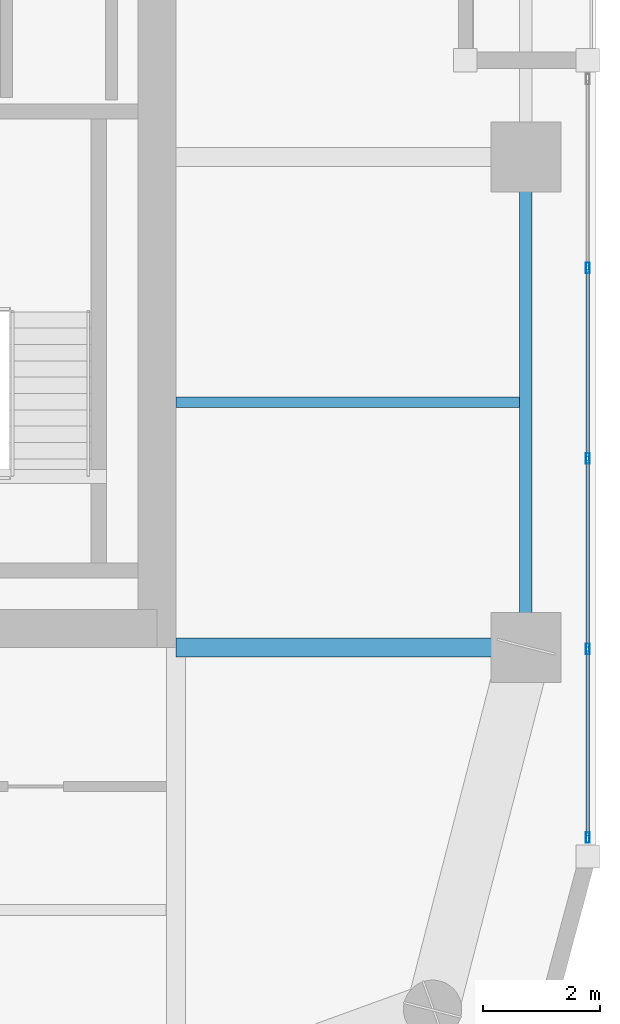
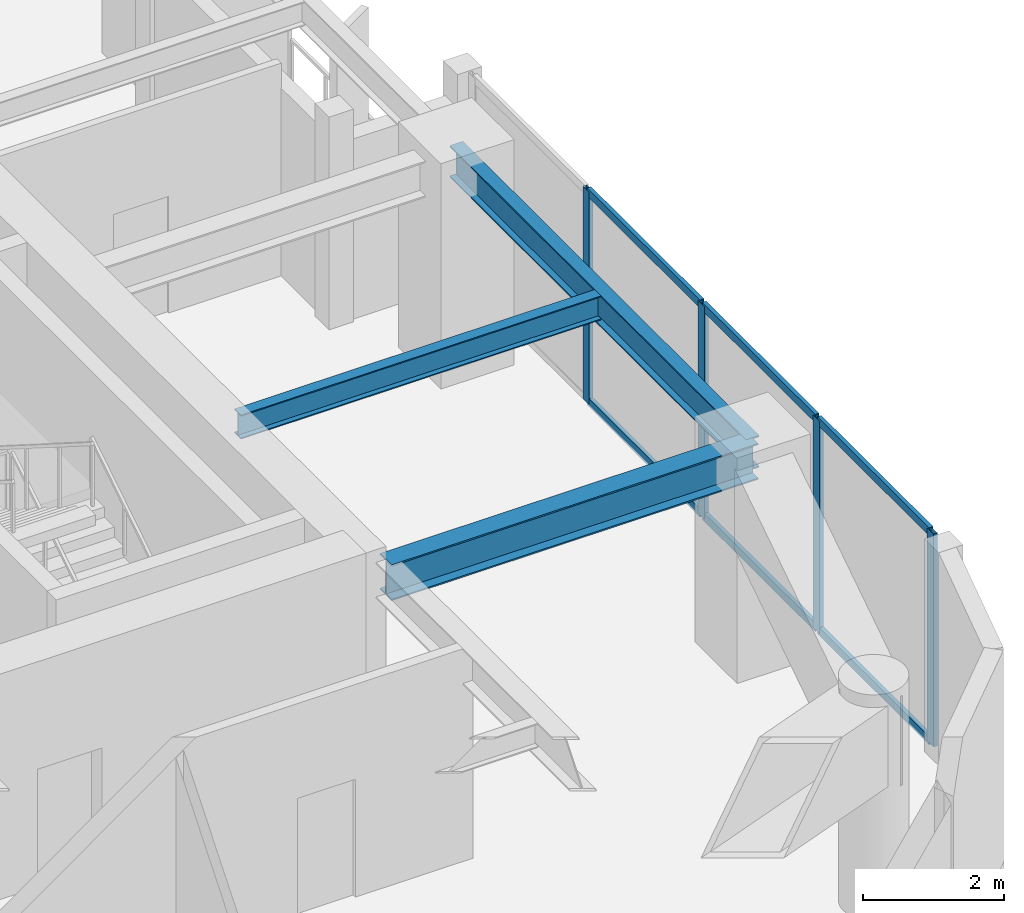
# One storey, part 5 of 26: 10 members, 3 beams, 1 element without a shape of its own.
"""IFC4 building model written with IfcOpenShell, lengths in metres."""

from ifc_helpers import new_model, si_unit, direction, frame, origin, origin_2d, place, context, subcontext, project, spatial, hollow_rectangle, i_section, extrude, material, layer, layer_set, material_profile, profile_set, type_object, element, aggregate, save


model = new_model("IFC4")

# Units and contexts
model_context = context("Model", 3, precision=1e-05, world=origin(), true_north=direction((0.0, 1.0)))
body_context = subcontext(model_context, "Body", "Model", "MODEL_VIEW")
ifc_project = project(units=[si_unit("LENGTHUNIT", "METRE"), si_unit("AREAUNIT", "SQUARE_METRE"), si_unit("VOLUMEUNIT", "CUBIC_METRE"), si_unit("PLANEANGLEUNIT", "RADIAN"), si_unit("MASSUNIT", "GRAM", prefix="KILO")], contexts=[model_context])

# Site, building, storey
site_placement = place(None, origin())
site = spatial("IfcSite", under=ifc_project, at=site_placement, CompositionType="ELEMENT")
building_placement = place(site_placement, origin())
building = spatial("IfcBuilding", under=site, at=building_placement, Name="Kiyonajd Concourse Tower", CompositionType="ELEMENT")
storey_placement = place(building_placement, frame((0.0, 0.0, 186.300048828125)))
storey = spatial("IfcBuildingStorey", under=building, at=storey_placement, Name="L47", CompositionType="ELEMENT", Elevation=186.300048828125)

# Beams
ifc_material_1 = material(Name="Steel ASTM A992 Grade 50", Category="steel")
ifc_material_profile_1 = material_profile(ifc_material_1, i_section(OverallWidth=0.180908203125, OverallDepth=0.4169921875, WebThickness=0.010986328125, FlangeThickness=0.018310546875, at=origin_2d()), Name="W410X85")
ifc_profile_set_1 = profile_set([ifc_material_profile_1], Name="Steel ASTM A992 Grade 50")
beam_type_1 = type_object("IfcBeamType", Name="BM-JST-410", PredefinedType="JOIST", material=ifc_profile_set_1)
beam_1_placement = place(storey_placement, frame((63.60009765625, 31.800048828125, 3.471435546875), z_axis=(1.0, 0.0, 0.0), x_axis=(0.0, 1.0, 0.0)))
element("IfcBeam", 1, at=beam_1_placement, inside=storey, type_object=beam_type_1, Name="L47 East Secondary Floor Joist", PredefinedType="JOIST", context=body_context, shape_type="SweptSolid", body=[
    extrude(i_section(OverallWidth=0.180908203125, OverallDepth=0.4169921875, WebThickness=0.010986328125, FlangeThickness=0.018310546875, at=origin_2d()), origin(), (0.0, 0.0, 1.0), 5.892822265625),
])
ifc_material_profile_2 = material_profile(ifc_material_1, i_section(OverallWidth=0.214111328125, OverallDepth=0.549072265625, WebThickness=0.0146484375, FlangeThickness=0.023681640625, at=origin_2d()), Name="W530X138")
ifc_profile_set_2 = profile_set([ifc_material_profile_2], Name="Steel ASTM A992 Grade 50")
beam_type_2 = type_object("IfcBeamType", Name="BM-SPAN-530A", PredefinedType="SPANDREL", material=ifc_profile_set_2)
beam_2_placement = place(storey_placement, frame((69.60009765625, 27.60009765625, 3.405517578125), z_axis=(0.0, 1.0, 0.0), x_axis=(-1.0, 0.0, 0.0)))
element("IfcBeam", 2, at=beam_2_placement, inside=storey, type_object=beam_type_2, Name="L47 Perimeter Bundled Tube Spandrel", PredefinedType="SPANDREL", context=body_context, shape_type="SweptSolid", body=[
    extrude(i_section(OverallWidth=0.214111328125, OverallDepth=0.549072265625, WebThickness=0.0146484375, FlangeThickness=0.023681640625, at=origin_2d()), origin(), (0.0, 0.0, 1.0), 8.39990234375),
])
ifc_material_profile_3 = material_profile(ifc_material_1, i_section(OverallWidth=0.326904296875, OverallDepth=0.6220703125, WebThickness=0.015380859375, FlangeThickness=0.0244140625, at=origin_2d()), Name="W610X195")
ifc_profile_set_3 = profile_set([ifc_material_profile_3], Name="Steel ASTM A992 Grade 50")
beam_type_3 = type_object("IfcBeamType", Name="BM-TWR-610A", PredefinedType="BEAM", material=ifc_profile_set_3)
beam_3_placement = place(storey_placement, frame((63.60009765625, 27.60009765625, 3.368896484375), z_axis=(1.0, 0.0, 0.0), x_axis=(0.0, 1.0, 0.0)))
element("IfcBeam", 3, at=beam_3_placement, inside=storey, type_object=beam_type_3, Name="L47 East Lease Girder", PredefinedType="BEAM", context=body_context, shape_type="SweptSolid", body=[
    extrude(i_section(OverallWidth=0.326904296875, OverallDepth=0.6220703125, WebThickness=0.015380859375, FlangeThickness=0.0244140625, at=origin_2d()), origin(), (0.0, 0.0, 1.0), 6.0),
])

# Curtain wall, members
ifc_material_2 = material(Name="Thermally Broken Anodised Aluminium", Category="aluminium")
ifc_layer = layer(ifc_material_2, 0.179931640625)
ifc_layer_set = layer_set([ifc_layer], Name="Thermally Broken Anodised Aluminium")
curtain_wall_type = type_object("IfcCurtainWallType", Name="CW-SYS-03", PredefinedType="NOTDEFINED", material=ifc_layer_set)
curtain_wall_placement = place(storey_placement, origin())
curtain_wall = element("IfcCurtainWall", 4, at=curtain_wall_placement, inside=storey, type_object=curtain_wall_type, Name="L47 Unitised Curtain Wall CW3", PredefinedType="NOTDEFINED")
ifc_material_profile_4 = material_profile(ifc_material_2, hollow_rectangle(XDim=0.06494140625, YDim=0.179931640625, WallThickness=0.00390625, at=origin_2d()), Name="MULL-65x180")
ifc_profile_set_4 = profile_set([ifc_material_profile_4], Name="Thermally Broken Anodised Aluminium")
member_type_1 = type_object("IfcMemberType", Name="MB-CW-MULL1", PredefinedType="MULLION", material=ifc_profile_set_4)
member_1_placement = place(storey_placement, frame((70.659912109375, 34.1044921875, 0.0), z_axis=(0.0, 0.0, 1.0), x_axis=(1.0, 0.0, 0.0)))
member_1 = element("IfcMember", 5, at=member_1_placement, type_object=member_type_1, Name="CW3 mullion 2", PredefinedType="MULLION", context=body_context, shape_type="SweptSolid", body=[
    extrude(hollow_rectangle(XDim=0.06494140625, YDim=0.179931640625, WallThickness=0.00390625, at=origin_2d()), origin(), (0.0, 0.0, 1.0), 3.679931640625),
])
member_2_placement = place(storey_placement, frame((70.659912109375, 30.839111328125, 0.0), z_axis=(0.0, 0.0, 1.0), x_axis=(1.0, 0.0, 0.0)))
member_2 = element("IfcMember", 6, at=member_2_placement, type_object=member_type_1, Name="CW3 mullion 3", PredefinedType="MULLION", context=body_context, shape_type="SweptSolid", body=[
    extrude(hollow_rectangle(XDim=0.06494140625, YDim=0.179931640625, WallThickness=0.00390625, at=origin_2d()), origin(), (0.0, 0.0, 1.0), 3.679931640625),
])
member_3_placement = place(storey_placement, frame((70.659912109375, 27.57373046875, 0.0), z_axis=(0.0, 0.0, 1.0), x_axis=(1.0, 0.0, 0.0)))
member_3 = element("IfcMember", 7, at=member_3_placement, type_object=member_type_1, Name="CW3 mullion 4", PredefinedType="MULLION", context=body_context, shape_type="SweptSolid", body=[
    extrude(hollow_rectangle(XDim=0.06494140625, YDim=0.179931640625, WallThickness=0.00390625, at=origin_2d()), origin(), (0.0, 0.0, 1.0), 3.679931640625),
])
member_4_placement = place(storey_placement, frame((70.659912109375, 24.3408203125, 0.0), z_axis=(0.0, 0.0, 1.0), x_axis=(1.0, 0.0, 0.0)))
member_4 = element("IfcMember", 8, at=member_4_placement, type_object=member_type_1, Name="CW3 mullion 5", PredefinedType="MULLION", context=body_context, shape_type="SweptSolid", body=[
    extrude(hollow_rectangle(XDim=0.06494140625, YDim=0.179931640625, WallThickness=0.00390625, at=origin_2d()), origin(), (0.0, 0.0, 1.0), 3.679931640625),
])
ifc_material_profile_5 = material_profile(ifc_material_2, hollow_rectangle(XDim=0.06494140625, YDim=0.139892578125, WallThickness=0.00390625, at=origin_2d()), Name="TRAN-65x140")
ifc_profile_set_5 = profile_set([ifc_material_profile_5], Name="Thermally Broken Anodised Aluminium")
member_type_2 = type_object("IfcMemberType", Name="MB-CW-TRAN1", PredefinedType="USERDEFINED", material=ifc_profile_set_5)
member_5_placement = place(storey_placement, frame((70.659912109375, 34.072021484375, 0.032470703125), z_axis=(0.0, -1.0, 0.0), x_axis=(1.0, 0.0, 0.0)))
member_5 = element("IfcMember", 9, at=member_5_placement, type_object=member_type_2, Name="CW3 transom 2.1", ObjectType="TRANSOM", PredefinedType="USERDEFINED", context=body_context, shape_type="SweptSolid", body=[
    extrude(hollow_rectangle(XDim=0.06494140625, YDim=0.139892578125, WallThickness=0.00390625, at=origin_2d()), origin(), (0.0, 0.0, 1.0), 3.200439453125),
])
member_6_placement = place(storey_placement, frame((70.659912109375, 34.072021484375, 3.6474609375), z_axis=(0.0, -1.0, 0.0), x_axis=(1.0, 0.0, 0.0)))
member_6 = element("IfcMember", 10, at=member_6_placement, type_object=member_type_2, Name="CW3 transom 2.2", ObjectType="TRANSOM", PredefinedType="USERDEFINED", context=body_context, shape_type="SweptSolid", body=[
    extrude(hollow_rectangle(XDim=0.06494140625, YDim=0.139892578125, WallThickness=0.00390625, at=origin_2d()), origin(), (0.0, 0.0, 1.0), 3.200439453125),
])
member_7_placement = place(storey_placement, frame((70.659912109375, 30.806640625, 0.032470703125), z_axis=(0.0, -1.0, 0.0), x_axis=(1.0, 0.0, 0.0)))
member_7 = element("IfcMember", 11, at=member_7_placement, type_object=member_type_2, Name="CW3 transom 3.1", ObjectType="TRANSOM", PredefinedType="USERDEFINED", context=body_context, shape_type="SweptSolid", body=[
    extrude(hollow_rectangle(XDim=0.06494140625, YDim=0.139892578125, WallThickness=0.00390625, at=origin_2d()), origin(), (0.0, 0.0, 1.0), 3.200439453125),
])
member_8_placement = place(storey_placement, frame((70.659912109375, 30.806640625, 3.6474609375), z_axis=(0.0, -1.0, 0.0), x_axis=(1.0, 0.0, 0.0)))
member_8 = element("IfcMember", 12, at=member_8_placement, type_object=member_type_2, Name="CW3 transom 3.2", ObjectType="TRANSOM", PredefinedType="USERDEFINED", context=body_context, shape_type="SweptSolid", body=[
    extrude(hollow_rectangle(XDim=0.06494140625, YDim=0.139892578125, WallThickness=0.00390625, at=origin_2d()), origin(), (0.0, 0.0, 1.0), 3.200439453125),
])
member_9_placement = place(storey_placement, frame((70.659912109375, 27.541259765625, 0.032470703125), z_axis=(0.0, -1.0, 0.0), x_axis=(1.0, 0.0, 0.0)))
member_9 = element("IfcMember", 13, at=member_9_placement, type_object=member_type_2, Name="CW3 transom 4.1", ObjectType="TRANSOM", PredefinedType="USERDEFINED", context=body_context, shape_type="SweptSolid", body=[
    extrude(hollow_rectangle(XDim=0.06494140625, YDim=0.139892578125, WallThickness=0.00390625, at=origin_2d()), origin(), (0.0, 0.0, 1.0), 3.16796875),
])
member_10_placement = place(storey_placement, frame((70.659912109375, 27.541259765625, 3.6474609375), z_axis=(0.0, -1.0, 0.0), x_axis=(1.0, 0.0, 0.0)))
member_10 = element("IfcMember", 14, at=member_10_placement, type_object=member_type_2, Name="CW3 transom 4.2", ObjectType="TRANSOM", PredefinedType="USERDEFINED", context=body_context, shape_type="SweptSolid", body=[
    extrude(hollow_rectangle(XDim=0.06494140625, YDim=0.139892578125, WallThickness=0.00390625, at=origin_2d()), origin(), (0.0, 0.0, 1.0), 3.16796875),
])
aggregate(curtain_wall, [member_1, member_2, member_3, member_4, member_5, member_6, member_7, member_8, member_9, member_10])

save(model, "model.ifc")
